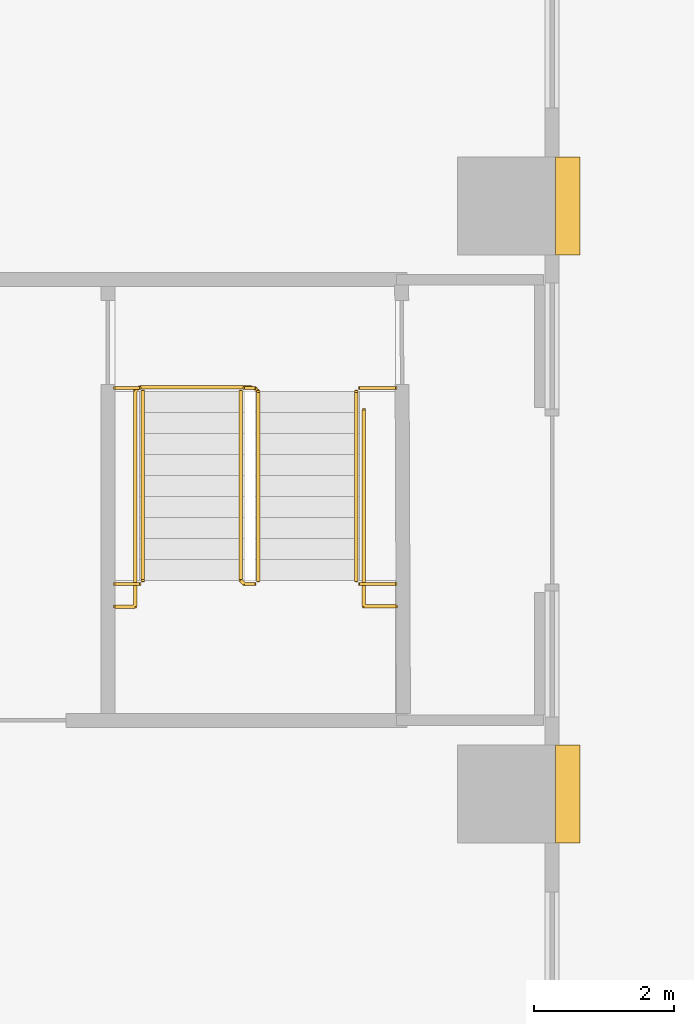
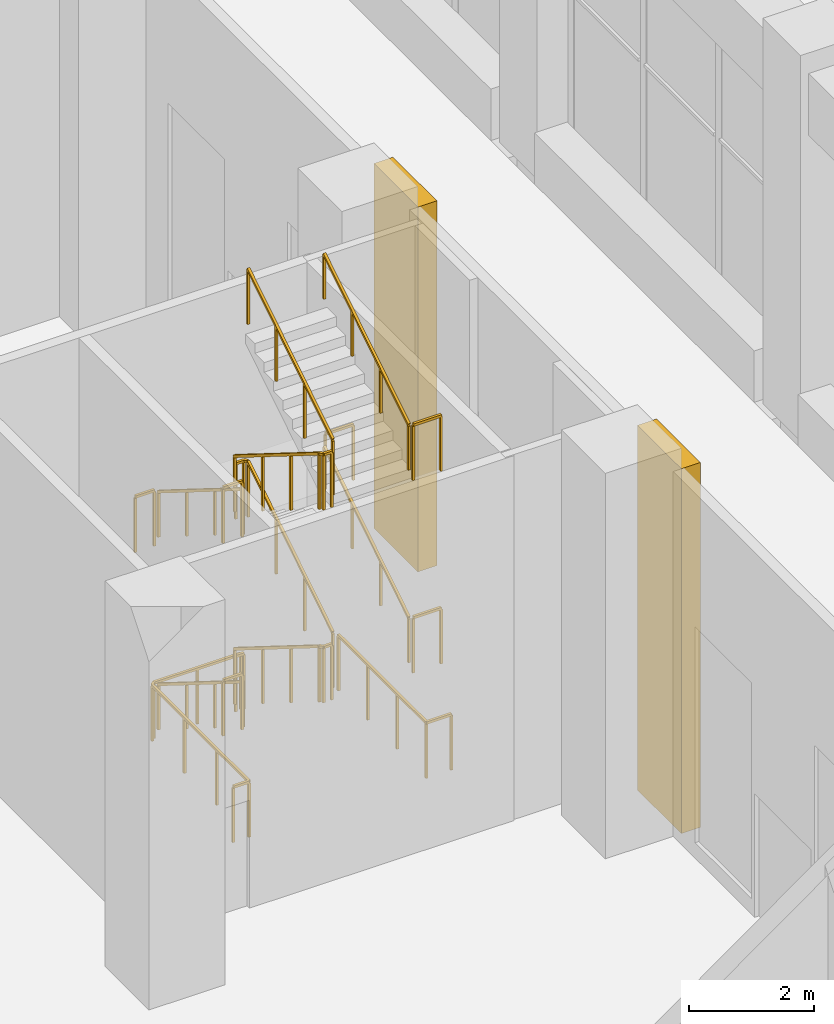
# One storey, part 47 of 53: 17 railings, 2 coverings.
"""IFC4 building model written with IfcOpenShell, lengths in metres."""

from ifc_helpers import new_model, si_unit, direction, frame, origin, origin_2d, place, context, subcontext, project, spatial, polyline, rectangle, outline, extrude, material, type_object, element, save


model = new_model("IFC4")

# Units and contexts
model_context = context("Model", 3, precision=1e-05, world=origin(), true_north=direction((0.0, 1.0)))
body_context = subcontext(model_context, "Body", "Model", "MODEL_VIEW")
ifc_project = project(units=[si_unit("LENGTHUNIT", "METRE"), si_unit("AREAUNIT", "SQUARE_METRE"), si_unit("VOLUMEUNIT", "CUBIC_METRE"), si_unit("PLANEANGLEUNIT", "RADIAN"), si_unit("MASSUNIT", "GRAM", prefix="KILO")], contexts=[model_context])

# Site, building, storey
site_placement = place(None, origin())
site = spatial("IfcSite", under=ifc_project, at=site_placement, CompositionType="ELEMENT")
building_placement = place(site_placement, origin())
building = spatial("IfcBuilding", under=site, at=building_placement, Name="Vermilion Ogive Tower", CompositionType="ELEMENT")
storey_placement = place(building_placement, origin())
storey = spatial("IfcBuildingStorey", under=building, at=storey_placement, Name="L00", CompositionType="ELEMENT", Elevation=0.0)

# Railings
ifc_material_1 = material(Name="Steel S355 painted", Category="steel")
railing_type_1 = type_object("IfcRailingType", Name="Stair guard 1100", PredefinedType="GUARDRAIL", material=ifc_material_1)
railing_1_placement = place(storey_placement, frame((46.60009765625, 1.550048828125, 0.1875)))
element("IfcRailing", 1, at=railing_1_placement, inside=storey, type_object=railing_type_1, Name="L00 PEC stair guard 1", PredefinedType="GUARDRAIL", context=body_context, shape_type="SweptSolid", body=[
    extrude(rectangle(XDim=0.048095703125, YDim=0.048095703125, at=origin_2d()), frame((0.0, 0.0, 1.076171875), z_axis=(0.0, -0.847993996163, 0.530005832488), x_axis=(1.0, 0.0, 0.0)), (0.0, 0.0, 1.0), 3.183837890625),
    extrude(rectangle(XDim=0.048095703125, YDim=0.048095703125, at=origin_2d()), frame((0.0, -2.699951171875, 2.763671875), z_axis=(0.705375805398, -0.708833529934, 0.0), x_axis=(0.708833529934, 0.705375805398, 0.0)), (0.0, 0.0, 1.0), 0.070556640625),
    extrude(rectangle(XDim=0.048095703125, YDim=0.048095703125, at=origin_2d()), frame((0.0498046875, -2.75, 2.763671875), z_axis=(1.0, 0.0, 0.0), x_axis=(0.0, 1.0, 0.0)), (0.0, 0.0, 1.0), 0.150146484375),
    extrude(rectangle(XDim=0.0419921875, YDim=0.0419921875, at=origin_2d()), origin(), (0.0, 0.0, 1.0), 1.052001953125),
    extrude(rectangle(XDim=0.0419921875, YDim=0.0419921875, at=origin_2d()), frame((0.0, -0.89990234375, 0.5625)), (0.0, 0.0, 1.0), 1.052001953125),
    extrude(rectangle(XDim=0.0419921875, YDim=0.0419921875, at=origin_2d()), frame((0.0, -1.800048828125, 1.125)), (0.0, 0.0, 1.0), 1.052001953125),
    extrude(rectangle(XDim=0.0419921875, YDim=0.0419921875, at=origin_2d()), frame((0.0, -2.699951171875, 1.6875)), (0.0, 0.0, 1.0), 1.052001953125),
    extrude(rectangle(XDim=0.0419921875, YDim=0.0419921875, at=origin_2d()), frame((0.0498046875, -2.75, 1.6875)), (0.0, 0.0, 1.0), 1.052001953125),
    extrude(rectangle(XDim=0.0419921875, YDim=0.0419921875, at=origin_2d()), frame((0.199951171875, -2.75, 1.6875)), (0.0, 0.0, 1.0), 1.052001953125),
])
railing_2_placement = place(storey_placement, frame((46.85009765625, -1.14990234375, 2.0625)))
element("IfcRailing", 2, at=railing_2_placement, inside=storey, type_object=railing_type_1, Name="L00 PEC stair guard 3", PredefinedType="GUARDRAIL", context=body_context, shape_type="SweptSolid", body=[
    extrude(rectangle(XDim=0.048095703125, YDim=0.048095703125, at=origin_2d()), frame((0.0, 0.0, 1.076171875), z_axis=(0.0, 0.847993996163, 0.530005832488), x_axis=(-1.0, 0.0, 0.0)), (0.0, 0.0, 1.0), 3.183837890625),
    extrude(rectangle(XDim=0.048095703125, YDim=0.048095703125, at=origin_2d()), frame((0.0, 2.699951171875, 2.763671875), z_axis=(-0.707106781187, 0.707106781187, 0.0), x_axis=(-0.707106781187, -0.707106781187, 0.0)), (0.0, 0.0, 1.0), 0.07080078125),
    extrude(rectangle(XDim=0.048095703125, YDim=0.048095703125, at=origin_2d()), frame((-0.050048828125, 2.75, 2.763671875), z_axis=(-1.0, 0.0, 0.0), x_axis=(0.0, -1.0, 0.0)), (0.0, 0.0, 1.0), 0.150146484375),
    extrude(rectangle(XDim=0.0419921875, YDim=0.0419921875, at=origin_2d()), origin(), (0.0, 0.0, 1.0), 1.052001953125),
    extrude(rectangle(XDim=0.0419921875, YDim=0.0419921875, at=origin_2d()), frame((0.0, 0.89990234375, 0.5625)), (0.0, 0.0, 1.0), 1.052001953125),
    extrude(rectangle(XDim=0.0419921875, YDim=0.0419921875, at=origin_2d()), frame((0.0, 1.800048828125, 1.125)), (0.0, 0.0, 1.0), 1.052001953125),
    extrude(rectangle(XDim=0.0419921875, YDim=0.0419921875, at=origin_2d()), frame((0.0, 2.699951171875, 1.6875)), (0.0, 0.0, 1.0), 1.052001953125),
    extrude(rectangle(XDim=0.0419921875, YDim=0.0419921875, at=origin_2d()), frame((-0.050048828125, 2.75, 1.6875)), (0.0, 0.0, 1.0), 1.052001953125),
    extrude(rectangle(XDim=0.0419921875, YDim=0.0419921875, at=origin_2d()), frame((-0.2001953125, 2.75, 1.6875)), (0.0, 0.0, 1.0), 1.052001953125),
])
railing_3_placement = place(storey_placement, frame((46.60009765625, 1.550048828125, 3.9375)))
element("IfcRailing", 3, at=railing_3_placement, inside=storey, type_object=railing_type_1, Name="L00 PEC stair guard 5", PredefinedType="GUARDRAIL", context=body_context, shape_type="SweptSolid", body=[
    extrude(rectangle(XDim=0.048095703125, YDim=0.048095703125, at=origin_2d()), frame((0.0, 0.0, 1.076171875), z_axis=(0.0, -0.847993996163, 0.530005832488), x_axis=(1.0, 0.0, 0.0)), (0.0, 0.0, 1.0), 3.183837890625),
    extrude(rectangle(XDim=0.048095703125, YDim=0.048095703125, at=origin_2d()), frame((0.0, -2.699951171875, 2.763671875), z_axis=(0.705375805398, -0.708833529934, 0.0), x_axis=(0.708833529934, 0.705375805398, 0.0)), (0.0, 0.0, 1.0), 0.070556640625),
    extrude(rectangle(XDim=0.048095703125, YDim=0.048095703125, at=origin_2d()), frame((0.0498046875, -2.75, 2.763671875), z_axis=(1.0, 0.0, 0.0), x_axis=(0.0, 1.0, 0.0)), (0.0, 0.0, 1.0), 0.150146484375),
    extrude(rectangle(XDim=0.0419921875, YDim=0.0419921875, at=origin_2d()), origin(), (0.0, 0.0, 1.0), 1.052001953125),
    extrude(rectangle(XDim=0.0419921875, YDim=0.0419921875, at=origin_2d()), frame((0.0, -0.89990234375, 0.5625)), (0.0, 0.0, 1.0), 1.052001953125),
    extrude(rectangle(XDim=0.0419921875, YDim=0.0419921875, at=origin_2d()), frame((0.0, -1.800048828125, 1.125)), (0.0, 0.0, 1.0), 1.052001953125),
    extrude(rectangle(XDim=0.0419921875, YDim=0.0419921875, at=origin_2d()), frame((0.0, -2.699951171875, 1.6875)), (0.0, 0.0, 1.0), 1.052001953125),
    extrude(rectangle(XDim=0.0419921875, YDim=0.0419921875, at=origin_2d()), frame((0.0498046875, -2.75, 1.6875)), (0.0, 0.0, 1.0), 1.052001953125),
    extrude(rectangle(XDim=0.0419921875, YDim=0.0419921875, at=origin_2d()), frame((0.199951171875, -2.75, 1.6875)), (0.0, 0.0, 1.0), 1.052001953125),
])
railing_4_placement = place(storey_placement, frame((46.85009765625, -1.14990234375, 5.8125)))
element("IfcRailing", 4, at=railing_4_placement, inside=storey, type_object=railing_type_1, Name="L00 PEC stair guard 7", PredefinedType="GUARDRAIL", context=body_context, shape_type="SweptSolid", body=[
    extrude(rectangle(XDim=0.048095703125, YDim=0.048095703125, at=origin_2d()), frame((0.0, 0.0, 1.076171875), z_axis=(0.0, 0.847993996163, 0.530005832488), x_axis=(-1.0, 0.0, 0.0)), (0.0, 0.0, 1.0), 3.183837890625),
    extrude(rectangle(XDim=0.0419921875, YDim=0.0419921875, at=origin_2d()), origin(), (0.0, 0.0, 1.0), 1.052001953125),
    extrude(rectangle(XDim=0.0419921875, YDim=0.0419921875, at=origin_2d()), frame((0.0, 0.89990234375, 0.5625)), (0.0, 0.0, 1.0), 1.052001953125),
    extrude(rectangle(XDim=0.0419921875, YDim=0.0419921875, at=origin_2d()), frame((0.0, 1.800048828125, 1.125)), (0.0, 0.0, 1.0), 1.052001953125),
    extrude(rectangle(XDim=0.0419921875, YDim=0.0419921875, at=origin_2d()), frame((0.0, 2.699951171875, 1.6875)), (0.0, 0.0, 1.0), 1.052001953125),
])
railing_5_placement = place(storey_placement, frame((46.64990234375, 1.60009765625, 0.0)))
element("IfcRailing", 5, at=railing_5_placement, inside=storey, type_object=railing_type_1, Name="L00 PEC stair guard 8", PredefinedType="GUARDRAIL", context=body_context, shape_type="SweptSolid", body=[
    extrude(rectangle(XDim=0.048095703125, YDim=0.048095703125, at=origin_2d()), frame((0.0, 0.0, 1.076171875), z_axis=(1.0, 0.0, 0.0), x_axis=(0.0, 1.0, 0.0)), (0.0, 0.0, 1.0), 0.150146484375),
    extrude(rectangle(XDim=0.0419921875, YDim=0.0419921875, at=origin_2d()), origin(), (0.0, 0.0, 1.0), 1.052001953125),
    extrude(rectangle(XDim=0.0419921875, YDim=0.0419921875, at=origin_2d()), frame((0.150146484375, 0.0, 0.0)), (0.0, 0.0, 1.0), 1.052001953125),
])
railing_6_placement = place(storey_placement, frame((44.800048828125, -1.199951171875, 1.875)))
element("IfcRailing", 6, at=railing_6_placement, inside=storey, type_object=railing_type_1, Name="L00 landing guard", PredefinedType="GUARDRAIL", context=body_context, shape_type="SweptSolid", body=[
    extrude(rectangle(XDim=0.048095703125, YDim=0.048095703125, at=origin_2d()), frame((0.0, 0.0, 1.076171875), z_axis=(1.0, 0.0, 0.0), x_axis=(0.0, 1.0, 0.0)), (0.0, 0.0, 1.0), 0.349853515625),
    extrude(rectangle(XDim=0.0419921875, YDim=0.0419921875, at=origin_2d()), origin(), (0.0, 0.0, 1.0), 1.052001953125),
    extrude(rectangle(XDim=0.0419921875, YDim=0.0419921875, at=origin_2d()), frame((0.349853515625, 0.0, 0.0)), (0.0, 0.0, 1.0), 1.052001953125),
])
railing_7_placement = place(storey_placement, frame((48.300048828125, -1.199951171875, 1.875)))
element("IfcRailing", 7, at=railing_7_placement, inside=storey, type_object=railing_type_1, Name="L00 landing guard", PredefinedType="GUARDRAIL", context=body_context, shape_type="SweptSolid", body=[
    extrude(rectangle(XDim=0.048095703125, YDim=0.048095703125, at=origin_2d()), frame((0.0, 0.0, 1.076171875), z_axis=(1.0, 0.0, 0.0), x_axis=(0.0, 1.0, 0.0)), (0.0, 0.0, 1.0), 0.512451171875),
    extrude(rectangle(XDim=0.0419921875, YDim=0.0419921875, at=origin_2d()), origin(), (0.0, 0.0, 1.0), 1.052001953125),
    extrude(rectangle(XDim=0.0419921875, YDim=0.0419921875, at=origin_2d()), frame((0.512451171875, 0.0, 0.0)), (0.0, 0.0, 1.0), 1.052001953125),
])
railing_8_placement = place(storey_placement, frame((44.800048828125, 1.60009765625, 3.75)))
element("IfcRailing", 8, at=railing_8_placement, inside=storey, type_object=railing_type_1, Name="L00 landing guard", PredefinedType="GUARDRAIL", context=body_context, shape_type="SweptSolid", body=[
    extrude(rectangle(XDim=0.048095703125, YDim=0.048095703125, at=origin_2d()), frame((0.0, 0.0, 1.076171875), z_axis=(1.0, 0.0, 0.0), x_axis=(0.0, 1.0, 0.0)), (0.0, 0.0, 1.0), 0.349853515625),
    extrude(rectangle(XDim=0.0419921875, YDim=0.0419921875, at=origin_2d()), origin(), (0.0, 0.0, 1.0), 1.052001953125),
    extrude(rectangle(XDim=0.0419921875, YDim=0.0419921875, at=origin_2d()), frame((0.349853515625, 0.0, 0.0)), (0.0, 0.0, 1.0), 1.052001953125),
])
railing_9_placement = place(storey_placement, frame((48.300048828125, 1.60009765625, 3.75)))
element("IfcRailing", 9, at=railing_9_placement, inside=storey, type_object=railing_type_1, Name="L00 landing guard", PredefinedType="GUARDRAIL", context=body_context, shape_type="SweptSolid", body=[
    extrude(rectangle(XDim=0.048095703125, YDim=0.048095703125, at=origin_2d()), frame((0.0, 0.0, 1.076171875), z_axis=(1.0, 0.0, 0.0), x_axis=(0.0, 1.0, 0.0)), (0.0, 0.0, 1.0), 0.512451171875),
    extrude(rectangle(XDim=0.0419921875, YDim=0.0419921875, at=origin_2d()), origin(), (0.0, 0.0, 1.0), 1.052001953125),
    extrude(rectangle(XDim=0.0419921875, YDim=0.0419921875, at=origin_2d()), frame((0.512451171875, 0.0, 0.0)), (0.0, 0.0, 1.0), 1.052001953125),
])
railing_10_placement = place(storey_placement, frame((44.800048828125, -1.199951171875, 5.625)))
element("IfcRailing", 10, at=railing_10_placement, inside=storey, type_object=railing_type_1, Name="L00 landing guard", PredefinedType="GUARDRAIL", context=body_context, shape_type="SweptSolid", body=[
    extrude(rectangle(XDim=0.048095703125, YDim=0.048095703125, at=origin_2d()), frame((0.0, 0.0, 1.076171875), z_axis=(1.0, 0.0, 0.0), x_axis=(0.0, 1.0, 0.0)), (0.0, 0.0, 1.0), 0.349853515625),
    extrude(rectangle(XDim=0.0419921875, YDim=0.0419921875, at=origin_2d()), origin(), (0.0, 0.0, 1.0), 1.052001953125),
    extrude(rectangle(XDim=0.0419921875, YDim=0.0419921875, at=origin_2d()), frame((0.349853515625, 0.0, 0.0)), (0.0, 0.0, 1.0), 1.052001953125),
])
railing_11_placement = place(storey_placement, frame((48.300048828125, -1.199951171875, 5.625)))
element("IfcRailing", 11, at=railing_11_placement, inside=storey, type_object=railing_type_1, Name="L00 landing guard", PredefinedType="GUARDRAIL", context=body_context, shape_type="SweptSolid", body=[
    extrude(rectangle(XDim=0.048095703125, YDim=0.048095703125, at=origin_2d()), frame((0.0, 0.0, 1.076171875), z_axis=(1.0, 0.0, 0.0), x_axis=(0.0, 1.0, 0.0)), (0.0, 0.0, 1.0), 0.512451171875),
    extrude(rectangle(XDim=0.0419921875, YDim=0.0419921875, at=origin_2d()), origin(), (0.0, 0.0, 1.0), 1.052001953125),
    extrude(rectangle(XDim=0.0419921875, YDim=0.0419921875, at=origin_2d()), frame((0.512451171875, 0.0, 0.0)), (0.0, 0.0, 1.0), 1.052001953125),
])
railing_12_placement = place(storey_placement, frame((48.359375, 1.2841796875, 0.0)))
element("IfcRailing", 12, at=railing_12_placement, inside=storey, type_object=railing_type_1, Name="L00 stair opening guard", PredefinedType="GUARDRAIL", context=body_context, shape_type="SweptSolid", body=[
    extrude(rectangle(XDim=0.048095703125, YDim=0.048095703125, at=origin_2d()), frame((0.0, 0.0, 1.076171875), z_axis=(0.0, -1.0, 0.0), x_axis=(1.0, 0.0, 0.0)), (0.0, 0.0, 1.0), 2.804443359375),
    extrude(rectangle(XDim=0.048095703125, YDim=0.048095703125, at=origin_2d()), frame((0.0, -2.804443359375, 1.076171875), z_axis=(1.0, 0.0, 0.0), x_axis=(0.0, 1.0, 0.0)), (0.0, 0.0, 1.0), 0.45849609375),
    extrude(rectangle(XDim=0.0419921875, YDim=0.0419921875, at=origin_2d()), origin(), (0.0, 0.0, 1.0), 1.052001953125),
    extrude(rectangle(XDim=0.0419921875, YDim=0.0419921875, at=origin_2d()), frame((0.0, -0.934814453125, 0.0)), (0.0, 0.0, 1.0), 1.052001953125),
    extrude(rectangle(XDim=0.0419921875, YDim=0.0419921875, at=origin_2d()), frame((0.0, -1.86962890625, 0.0)), (0.0, 0.0, 1.0), 1.052001953125),
    extrude(rectangle(XDim=0.0419921875, YDim=0.0419921875, at=origin_2d()), frame((0.0, -2.804443359375, 0.0)), (0.0, 0.0, 1.0), 1.052001953125),
    extrude(rectangle(XDim=0.0419921875, YDim=0.0419921875, at=origin_2d()), frame((0.45849609375, -2.804443359375, 0.0)), (0.0, 0.0, 1.0), 1.052001953125),
])
railing_13_placement = place(storey_placement, frame((44.80029296875, -1.5244140625, 0.0)))
element("IfcRailing", 13, at=railing_13_placement, inside=storey, type_object=railing_type_1, Name="L00 stair opening guard", PredefinedType="GUARDRAIL", context=body_context, shape_type="SweptSolid", body=[
    extrude(rectangle(XDim=0.048095703125, YDim=0.048095703125, at=origin_2d()), frame((0.0, 0.0, 1.076171875), z_axis=(1.0, 0.0, 0.0), x_axis=(0.0, 1.0, 0.0)), (0.0, 0.0, 1.0), 0.289794921875),
    extrude(rectangle(XDim=0.048095703125, YDim=0.048095703125, at=origin_2d()), frame((0.289794921875, 0.0, 1.076171875), z_axis=(0.0, 1.0, 0.0), x_axis=(-1.0, 0.0, 0.0)), (0.0, 0.0, 1.0), 3.080078125),
    extrude(rectangle(XDim=0.048095703125, YDim=0.048095703125, at=origin_2d()), frame((0.289794921875, 3.080078125, 1.076171875), z_axis=(0.73953018627, 0.673123394034, 0.0), x_axis=(-0.673123394034, 0.73953018627, 0.0)), (0.0, 0.0, 1.0), 0.080810546875),
    extrude(rectangle(XDim=0.048095703125, YDim=0.048095703125, at=origin_2d()), frame((0.349609375, 3.134521484375, 1.076171875), z_axis=(1.0, 0.0, 0.0), x_axis=(0.0, 1.0, 0.0)), (0.0, 0.0, 1.0), 1.60009765625),
    extrude(rectangle(XDim=0.0419921875, YDim=0.0419921875, at=origin_2d()), origin(), (0.0, 0.0, 1.0), 1.052001953125),
    extrude(rectangle(XDim=0.0419921875, YDim=0.0419921875, at=origin_2d()), frame((0.289794921875, 0.0, 0.0)), (0.0, 0.0, 1.0), 1.052001953125),
    extrude(rectangle(XDim=0.0419921875, YDim=0.0419921875, at=origin_2d()), frame((0.289794921875, 1.026611328125, 0.0)), (0.0, 0.0, 1.0), 1.052001953125),
    extrude(rectangle(XDim=0.0419921875, YDim=0.0419921875, at=origin_2d()), frame((0.289794921875, 2.053466796875, 0.0)), (0.0, 0.0, 1.0), 1.052001953125),
    extrude(rectangle(XDim=0.0419921875, YDim=0.0419921875, at=origin_2d()), frame((0.289794921875, 3.080078125, 0.0)), (0.0, 0.0, 1.0), 1.052001953125),
    extrude(rectangle(XDim=0.0419921875, YDim=0.0419921875, at=origin_2d()), frame((0.349609375, 3.134521484375, 0.0)), (0.0, 0.0, 1.0), 1.052001953125),
    extrude(rectangle(XDim=0.0419921875, YDim=0.0419921875, at=origin_2d()), frame((1.149658203125, 3.134521484375, 0.0)), (0.0, 0.0, 1.0), 1.052001953125),
    extrude(rectangle(XDim=0.0419921875, YDim=0.0419921875, at=origin_2d()), frame((1.94970703125, 3.134521484375, 0.0)), (0.0, 0.0, 1.0), 1.052001953125),
])
ifc_material_2 = material(Name="Stainless steel", Category="steel")
railing_type_2 = type_object("IfcRailingType", Name="Stair handrail 900", PredefinedType="HANDRAIL", material=ifc_material_2)
railing_14_placement = place(storey_placement, frame((45.199951171875, 1.550048828125, 0.1875)))
element("IfcRailing", 14, at=railing_14_placement, inside=storey, type_object=railing_type_2, Name="L00 PEC stair handrail 1", PredefinedType="HANDRAIL", context=body_context, shape_type="SweptSolid", body=[
    extrude(rectangle(XDim=0.048095703125, YDim=0.048095703125, at=origin_2d()), frame((0.0, 0.0, 0.8759765625), z_axis=(0.0, -0.847993996163, 0.530005832488), x_axis=(1.0, 0.0, 0.0)), (0.0, 0.0, 1.0), 3.183837890625),
    extrude(rectangle(XDim=0.0419921875, YDim=0.0419921875, at=origin_2d()), origin(), (0.0, 0.0, 1.0), 0.851806640625),
    extrude(rectangle(XDim=0.0419921875, YDim=0.0419921875, at=origin_2d()), frame((0.0, -0.89990234375, 0.5625)), (0.0, 0.0, 1.0), 0.851806640625),
    extrude(rectangle(XDim=0.0419921875, YDim=0.0419921875, at=origin_2d()), frame((0.0, -1.800048828125, 1.125)), (0.0, 0.0, 1.0), 0.851806640625),
    extrude(rectangle(XDim=0.0419921875, YDim=0.0419921875, at=origin_2d()), frame((0.0, -2.699951171875, 1.6875)), (0.0, 0.0, 1.0), 0.851806640625),
])
railing_15_placement = place(storey_placement, frame((48.25, -1.14990234375, 2.0625)))
element("IfcRailing", 15, at=railing_15_placement, inside=storey, type_object=railing_type_2, Name="L00 PEC stair handrail 2", PredefinedType="HANDRAIL", context=body_context, shape_type="SweptSolid", body=[
    extrude(rectangle(XDim=0.048095703125, YDim=0.048095703125, at=origin_2d()), frame((0.0, 0.0, 0.8759765625), z_axis=(0.0, 0.847993996163, 0.530005832488), x_axis=(-1.0, 0.0, 0.0)), (0.0, 0.0, 1.0), 3.183837890625),
    extrude(rectangle(XDim=0.0419921875, YDim=0.0419921875, at=origin_2d()), origin(), (0.0, 0.0, 1.0), 0.851806640625),
    extrude(rectangle(XDim=0.0419921875, YDim=0.0419921875, at=origin_2d()), frame((0.0, 0.89990234375, 0.5625)), (0.0, 0.0, 1.0), 0.851806640625),
    extrude(rectangle(XDim=0.0419921875, YDim=0.0419921875, at=origin_2d()), frame((0.0, 1.800048828125, 1.125)), (0.0, 0.0, 1.0), 0.851806640625),
    extrude(rectangle(XDim=0.0419921875, YDim=0.0419921875, at=origin_2d()), frame((0.0, 2.699951171875, 1.6875)), (0.0, 0.0, 1.0), 0.851806640625),
])
railing_16_placement = place(storey_placement, frame((45.199951171875, 1.550048828125, 3.9375)))
element("IfcRailing", 16, at=railing_16_placement, inside=storey, type_object=railing_type_2, Name="L00 PEC stair handrail 3", PredefinedType="HANDRAIL", context=body_context, shape_type="SweptSolid", body=[
    extrude(rectangle(XDim=0.048095703125, YDim=0.048095703125, at=origin_2d()), frame((0.0, 0.0, 0.8759765625), z_axis=(0.0, -0.847993996163, 0.530005832488), x_axis=(1.0, 0.0, 0.0)), (0.0, 0.0, 1.0), 3.183837890625),
    extrude(rectangle(XDim=0.0419921875, YDim=0.0419921875, at=origin_2d()), origin(), (0.0, 0.0, 1.0), 0.851806640625),
    extrude(rectangle(XDim=0.0419921875, YDim=0.0419921875, at=origin_2d()), frame((0.0, -0.89990234375, 0.5625)), (0.0, 0.0, 1.0), 0.851806640625),
    extrude(rectangle(XDim=0.0419921875, YDim=0.0419921875, at=origin_2d()), frame((0.0, -1.800048828125, 1.125)), (0.0, 0.0, 1.0), 0.851806640625),
    extrude(rectangle(XDim=0.0419921875, YDim=0.0419921875, at=origin_2d()), frame((0.0, -2.699951171875, 1.6875)), (0.0, 0.0, 1.0), 0.851806640625),
])
railing_17_placement = place(storey_placement, frame((48.25, -1.14990234375, 5.8125)))
element("IfcRailing", 17, at=railing_17_placement, inside=storey, type_object=railing_type_2, Name="L00 PEC stair handrail 4", PredefinedType="HANDRAIL", context=body_context, shape_type="SweptSolid", body=[
    extrude(rectangle(XDim=0.048095703125, YDim=0.048095703125, at=origin_2d()), frame((0.0, 0.0, 0.8759765625), z_axis=(0.0, 0.847993996163, 0.530005832488), x_axis=(-1.0, 0.0, 0.0)), (0.0, 0.0, 1.0), 3.183837890625),
    extrude(rectangle(XDim=0.0419921875, YDim=0.0419921875, at=origin_2d()), origin(), (0.0, 0.0, 1.0), 0.851806640625),
    extrude(rectangle(XDim=0.0419921875, YDim=0.0419921875, at=origin_2d()), frame((0.0, 0.89990234375, 0.5625)), (0.0, 0.0, 1.0), 0.851806640625),
    extrude(rectangle(XDim=0.0419921875, YDim=0.0419921875, at=origin_2d()), frame((0.0, 1.800048828125, 1.125)), (0.0, 0.0, 1.0), 0.851806640625),
    extrude(rectangle(XDim=0.0419921875, YDim=0.0419921875, at=origin_2d()), frame((0.0, 2.699951171875, 1.6875)), (0.0, 0.0, 1.0), 0.851806640625),
])

# Coverings
ifc_material_3 = material(Name="Stone cladding", Category="masonry")
covering_type = type_object("IfcCoveringType", Name="Stone pier", PredefinedType="CLADDING", material=ifc_material_3)
covering_1_placement = place(storey_placement, origin())
element("IfcCovering", 18, at=covering_1_placement, inside=storey, type_object=covering_type, Name="Stone pier P+504+042", PredefinedType="CLADDING", context=body_context, shape_type="SweptSolid", body=[
    extrude(outline(polyline([(51.10009765625, 4.89990234375), (51.449951171875, 4.89990234375), (51.449951171875, 3.5), (51.10009765625, 3.5), (51.10009765625, 4.89990234375), (51.10009765625, 4.89990234375)])), origin(), (0.0, 0.0, 1.0), 7.10009765625),
])
covering_2_placement = place(storey_placement, origin())
element("IfcCovering", 19, at=covering_2_placement, inside=storey, type_object=covering_type, Name="Stone pier P+504-042", PredefinedType="CLADDING", context=body_context, shape_type="SweptSolid", body=[
    extrude(outline(polyline([(51.449951171875, -3.5), (51.449951171875, -4.89990234375), (51.10009765625, -4.89990234375), (51.10009765625, -3.5), (51.449951171875, -3.5)])), origin(), (0.0, 0.0, 1.0), 7.10009765625),
])

save(model, "model.ifc")
